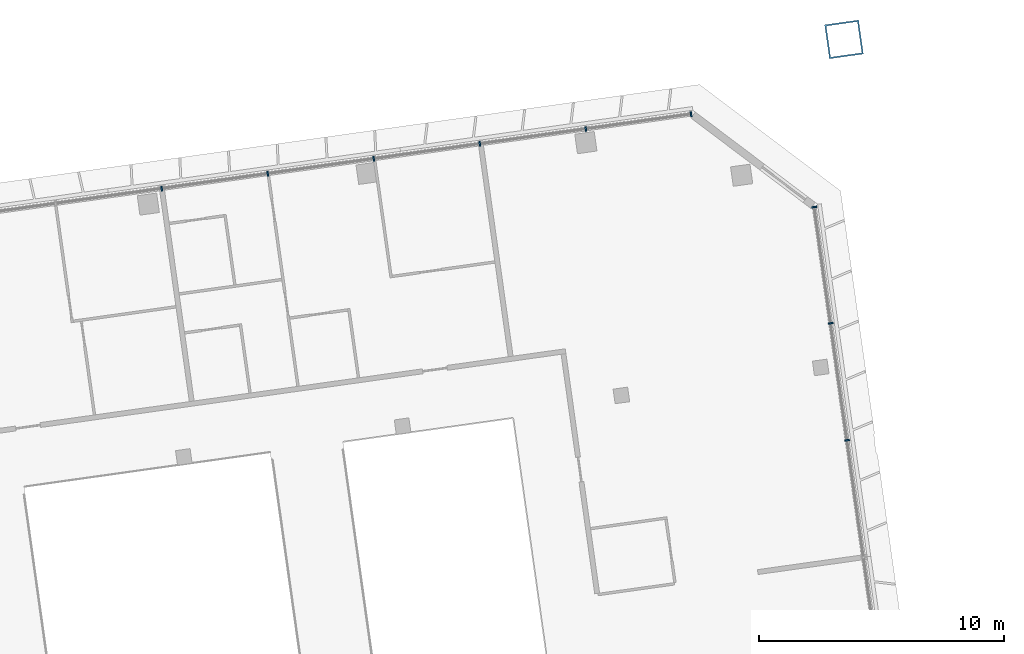
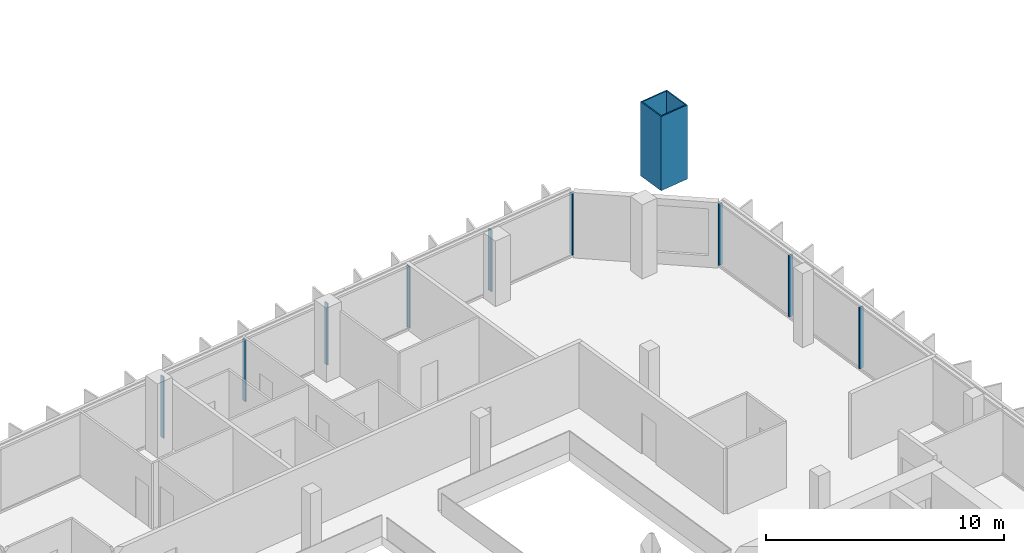
# One storey, part 14 of 26: 10 members, 2 elements without a shape of their own.
"""IFC4 building model written with IfcOpenShell, lengths in metres."""

from ifc_helpers import new_model, si_unit, direction, frame, origin, origin_2d, place, context, subcontext, project, spatial, rectangle, hollow_rectangle, extrude, material, material_profile, profile_set, type_object, element, aggregate, save


model = new_model("IFC4")

# Units and contexts
model_context = context("Model", 3, precision=1e-05, world=origin(), true_north=direction((0.0, 1.0)))
body_context = subcontext(model_context, "Body", "Model", "MODEL_VIEW")
ifc_project = project(units=[si_unit("LENGTHUNIT", "METRE"), si_unit("AREAUNIT", "SQUARE_METRE"), si_unit("VOLUMEUNIT", "CUBIC_METRE"), si_unit("PLANEANGLEUNIT", "RADIAN"), si_unit("MASSUNIT", "GRAM", prefix="KILO")], contexts=[model_context])

# Site, building, storey
site_placement = place(None, origin())
site = spatial("IfcSite", under=ifc_project, at=site_placement, CompositionType="ELEMENT")
building_placement = place(site_placement, origin())
building = spatial("IfcBuilding", under=site, at=building_placement, Name="Mirante Cascada Hotel Towers", CompositionType="ELEMENT")
storey_placement = place(building_placement, frame((0.0, 0.0, 203.0)))
storey = spatial("IfcBuildingStorey", under=building, at=storey_placement, Name="L48", CompositionType="ELEMENT", Elevation=203.0)

# Member
ifc_material_1 = material(Name="Steel ASTM A572 Gr 50", Category="steel")
ifc_material_profile_1 = material_profile(ifc_material_1, hollow_rectangle(XDim=1.4, YDim=1.4, WallThickness=0.06, at=origin_2d()), Name="Box post 1400x1400x60 ASTM A572 Gr 50")
ifc_profile_set_1 = profile_set([ifc_material_profile_1], Name="Steel ASTM A572 Gr 50")
member_type_1 = type_object("IfcMemberType", Name="Box post 1400x1400x60 ASTM A572 Gr 50", PredefinedType="POST", material=ifc_profile_set_1)
member_1_placement = place(storey_placement, frame((82.5324, 26.5893, 0.0), z_axis=(0.0, 0.0, 1.0), x_axis=(0.9902681, 0.1391731, 0.0)))
element("IfcMember", 1, at=member_1_placement, inside=storey, type_object=member_type_1, Name="Mega column MP3 T2 L48", PredefinedType="POST", context=body_context, shape_type="SweptSolid", body=[
    extrude(hollow_rectangle(XDim=1.4, YDim=1.4, WallThickness=0.06, at=origin_2d()), origin(), (0.0, 0.0, 1.0), 3.8),
])

# Curtain wall, members
ifc_material_2 = material(Name="Aluminium mullion and transom frame with clear laminated glass", Category="aluminium")
curtain_wall_type_1 = type_object("IfcCurtainWallType", Name="Ribbon curtain wall ECW1", PredefinedType="NOTDEFINED", material=ifc_material_2)
curtain_wall_1_placement = place(storey_placement, origin())
curtain_wall_1 = element("IfcCurtainWall", 2, at=curtain_wall_1_placement, inside=storey, type_object=curtain_wall_type_1, Name="Front ribbon wall T2 L48", PredefinedType="NOTDEFINED")
ifc_material_3 = material(Name="Anodised aluminium extrusion", Category="aluminium")
ifc_material_profile_2 = material_profile(ifc_material_3, rectangle(XDim=0.2, YDim=0.065, at=origin_2d()), Name="ECW1 MULLION 65x200")
ifc_profile_set_2 = profile_set([ifc_material_profile_2], Name="Anodised aluminium extrusion")
member_type_2 = type_object("IfcMemberType", Name="ECW1 mullion 65x200", PredefinedType="MULLION", material=ifc_profile_set_2)
member_2_placement = place(storey_placement, frame((76.3011, 23.5425, 0.1), z_axis=(0.0, 0.0, 1.0), x_axis=(0.1391731, -0.9902681, 0.0)))
member_2 = element("IfcMember", 3, at=member_2_placement, type_object=member_type_2, Name="ECW1 mullion 1", PredefinedType="MULLION", context=body_context, shape_type="SweptSolid", body=[
    extrude(rectangle(XDim=0.2, YDim=0.065, at=origin_2d()), origin(), (0.0, 0.0, 1.0), 3.15),
])
member_3_placement = place(storey_placement, frame((72.014, 22.9399, 0.1), z_axis=(0.0, 0.0, 1.0), x_axis=(0.1391731, -0.9902681, 0.0)))
member_3 = element("IfcMember", 4, at=member_3_placement, type_object=member_type_2, Name="ECW1 mullion 2", PredefinedType="MULLION", context=body_context, shape_type="SweptSolid", body=[
    extrude(rectangle(XDim=0.2, YDim=0.065, at=origin_2d()), origin(), (0.0, 0.0, 1.0), 3.15),
])
member_4_placement = place(storey_placement, frame((67.6946, 22.3329, 0.1), z_axis=(0.0, 0.0, 1.0), x_axis=(0.1391731, -0.9902681, 0.0)))
member_4 = element("IfcMember", 5, at=member_4_placement, type_object=member_type_2, Name="ECW1 mullion 3", PredefinedType="MULLION", context=body_context, shape_type="SweptSolid", body=[
    extrude(rectangle(XDim=0.2, YDim=0.065, at=origin_2d()), origin(), (0.0, 0.0, 1.0), 3.15),
])
member_5_placement = place(storey_placement, frame((63.3752, 21.7258, 0.1), z_axis=(0.0, 0.0, 1.0), x_axis=(0.1391731, -0.9902681, 0.0)))
member_5 = element("IfcMember", 6, at=member_5_placement, type_object=member_type_2, Name="ECW1 mullion 4", PredefinedType="MULLION", context=body_context, shape_type="SweptSolid", body=[
    extrude(rectangle(XDim=0.2, YDim=0.065, at=origin_2d()), origin(), (0.0, 0.0, 1.0), 3.15),
])
member_6_placement = place(storey_placement, frame((59.0558, 21.1188, 0.1), z_axis=(0.0, 0.0, 1.0), x_axis=(0.1391731, -0.9902681, 0.0)))
member_6 = element("IfcMember", 7, at=member_6_placement, type_object=member_type_2, Name="ECW1 mullion 5", PredefinedType="MULLION", context=body_context, shape_type="SweptSolid", body=[
    extrude(rectangle(XDim=0.2, YDim=0.065, at=origin_2d()), origin(), (0.0, 0.0, 1.0), 3.15),
])
member_7_placement = place(storey_placement, frame((54.7365, 20.5117, 0.1), z_axis=(0.0, 0.0, 1.0), x_axis=(0.1391731, -0.9902681, 0.0)))
member_7 = element("IfcMember", 8, at=member_7_placement, type_object=member_type_2, Name="ECW1 mullion 6", PredefinedType="MULLION", context=body_context, shape_type="SweptSolid", body=[
    extrude(rectangle(XDim=0.2, YDim=0.065, at=origin_2d()), origin(), (0.0, 0.0, 1.0), 3.15),
])
aggregate(curtain_wall_1, [member_2, member_3, member_4, member_5, member_6, member_7])

ifc_material_4 = material(Name="Aluminium mullion and transom frame with clear laminated glass", Category="aluminium")
curtain_wall_type_2 = type_object("IfcCurtainWallType", Name="End ribbon curtain wall ECW2", PredefinedType="NOTDEFINED", material=ifc_material_4)
curtain_wall_2_placement = place(storey_placement, origin())
curtain_wall_2 = element("IfcCurtainWall", 9, at=curtain_wall_2_placement, inside=storey, type_object=curtain_wall_type_2, Name="Outer end wall T2 L48", PredefinedType="NOTDEFINED")
ifc_material_5 = material(Name="Anodised aluminium extrusion", Category="aluminium")
ifc_material_profile_3 = material_profile(ifc_material_5, rectangle(XDim=0.2, YDim=0.065, at=origin_2d()), Name="ECW2 MULLION 65x200")
ifc_profile_set_3 = profile_set([ifc_material_profile_3], Name="Anodised aluminium extrusion")
member_type_3 = type_object("IfcMemberType", Name="ECW2 mullion 65x200", PredefinedType="MULLION", material=ifc_profile_set_3)
member_8_placement = place(storey_placement, frame((82.6561, 10.2603, 0.1), z_axis=(0.0, 0.0, 1.0), x_axis=(-0.9902681, -0.1391731, 0.0)))
member_8 = element("IfcMember", 10, at=member_8_placement, type_object=member_type_3, Name="ECW2 mullion 5", PredefinedType="MULLION", context=body_context, shape_type="SweptSolid", body=[
    extrude(rectangle(XDim=0.2, YDim=0.065, at=origin_2d()), origin(), (0.0, 0.0, 1.0), 3.15),
])
member_9_placement = place(storey_placement, frame((81.9864, 15.026, 0.1), z_axis=(0.0, 0.0, 1.0), x_axis=(-0.9902681, -0.1391731, 0.0)))
member_9 = element("IfcMember", 11, at=member_9_placement, type_object=member_type_3, Name="ECW2 mullion 6", PredefinedType="MULLION", context=body_context, shape_type="SweptSolid", body=[
    extrude(rectangle(XDim=0.2, YDim=0.065, at=origin_2d()), origin(), (0.0, 0.0, 1.0), 3.15),
])
member_10_placement = place(storey_placement, frame((81.3211, 19.7596, 0.1), z_axis=(0.0, 0.0, 1.0), x_axis=(-0.9902681, -0.1391731, 0.0)))
member_10 = element("IfcMember", 12, at=member_10_placement, type_object=member_type_3, Name="ECW2 mullion 7", PredefinedType="MULLION", context=body_context, shape_type="SweptSolid", body=[
    extrude(rectangle(XDim=0.2, YDim=0.065, at=origin_2d()), origin(), (0.0, 0.0, 1.0), 3.15),
])
aggregate(curtain_wall_2, [member_8, member_9, member_10])

save(model, "model.ifc")
